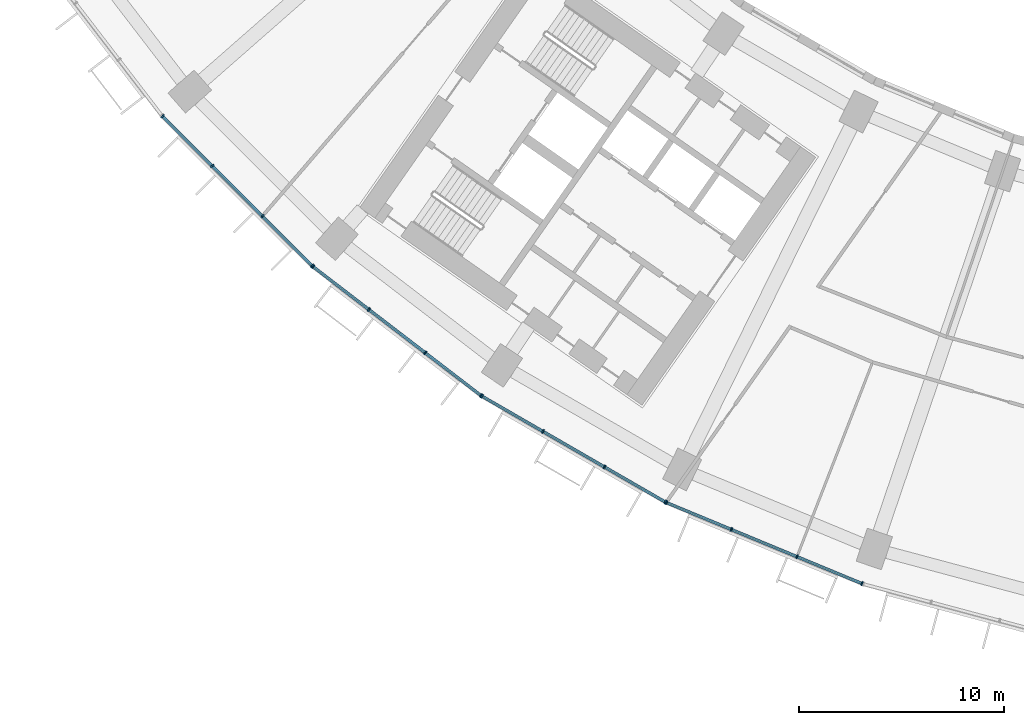
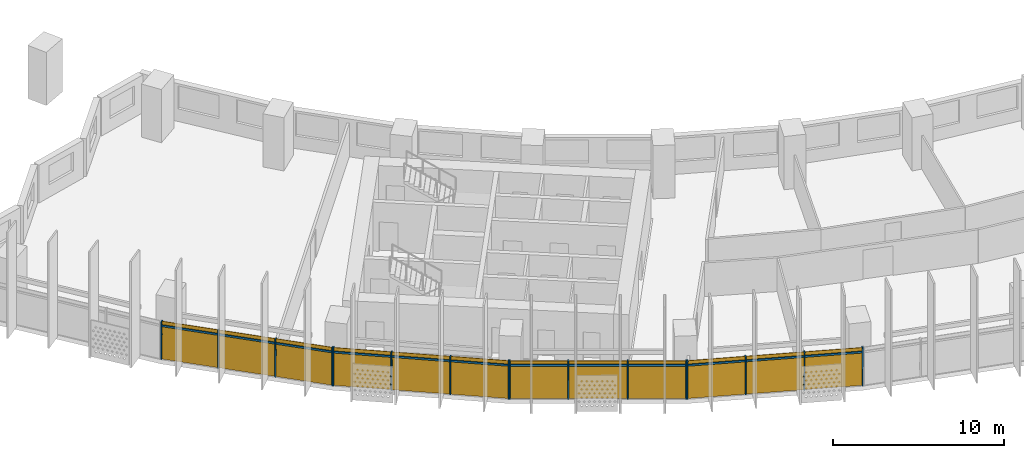
# One storey, part 19 of 32: 28 members, 4 curtain walls.
"""IFC4 building model written with IfcOpenShell, lengths in metres."""

from ifc_helpers import new_model, si_unit, direction, frame, origin, origin_2d, place, context, subcontext, project, spatial, rectangle, extrude, material, material_profile, profile_set, type_object, element, aggregate, save


model = new_model("IFC4")

# Units and contexts
model_context = context("Model", 3, precision=1e-05, world=origin(), true_north=direction((0.0, 1.0)))
body_context = subcontext(model_context, "Body", "Model", "MODEL_VIEW")
ifc_project = project(units=[si_unit("LENGTHUNIT", "METRE"), si_unit("AREAUNIT", "SQUARE_METRE"), si_unit("VOLUMEUNIT", "CUBIC_METRE"), si_unit("PLANEANGLEUNIT", "RADIAN"), si_unit("MASSUNIT", "GRAM", prefix="KILO")], contexts=[model_context])

# Member
ifc_material = material(Name="Aluminium 6063-T6 anodised", Category="aluminium")
ifc_material_profile_1 = material_profile(ifc_material, rectangle(XDim=0.199951171875, YDim=0.070068359375, at=origin_2d()))
ifc_profile_set_1 = profile_set([ifc_material_profile_1], Name="Aluminium 6063-T6 anodised")
member_type_1 = type_object("IfcMemberType", Name="Mullion 70 x 200 aluminium", PredefinedType="MULLION", material=ifc_profile_set_1)
site_placement = place(None, origin())
building_placement = place(site_placement, origin())
storey_placement = place(building_placement, frame((0.0, 0.0, 63.300048828125)))
member_1_placement = place(storey_placement, frame((-59.78857421875, -52.470947265625, 0.0), z_axis=(0.0, 0.0, 1.0), x_axis=(0.707106781187, 0.707106781187, 0.0)))
member_1 = element("IfcMember", 1, at=member_1_placement, type_object=member_type_1, Name="e-cw1-L12-out02/M00", PredefinedType="MULLION", context=body_context, shape_type="SweptSolid", body=[
    extrude(rectangle(XDim=0.199951171875, YDim=0.070068359375, at=origin_2d()), origin(), (0.0, 0.0, 1.0), 2.699951171875),
])

member_2_placement = place(storey_placement, frame((-57.357666015625, -54.90185546875, 0.0), z_axis=(0.0, 0.0, 1.0), x_axis=(0.707106781187, 0.707106781187, 0.0)))
member_2 = element("IfcMember", 2, at=member_2_placement, type_object=member_type_1, Name="e-cw1-L12-out02/M01", PredefinedType="MULLION", context=body_context, shape_type="SweptSolid", body=[
    extrude(rectangle(XDim=0.199951171875, YDim=0.070068359375, at=origin_2d()), origin(), (0.0, 0.0, 1.0), 2.699951171875),
])

member_3_placement = place(storey_placement, frame((-54.90185546875, -57.357666015625, 0.0), z_axis=(0.0, 0.0, 1.0), x_axis=(0.707106781187, 0.707106781187, 0.0)))
member_3 = element("IfcMember", 3, at=member_3_placement, type_object=member_type_1, Name="e-cw1-L12-out02/M02", PredefinedType="MULLION", context=body_context, shape_type="SweptSolid", body=[
    extrude(rectangle(XDim=0.199951171875, YDim=0.070068359375, at=origin_2d()), origin(), (0.0, 0.0, 1.0), 2.699951171875),
])

member_4_placement = place(storey_placement, frame((-52.470947265625, -59.78857421875, 0.0), z_axis=(0.0, 0.0, 1.0), x_axis=(0.707106781187, 0.707106781187, 0.0)))
member_4 = element("IfcMember", 4, at=member_4_placement, type_object=member_type_1, Name="e-cw1-L12-out02/M03", PredefinedType="MULLION", context=body_context, shape_type="SweptSolid", body=[
    extrude(rectangle(XDim=0.199951171875, YDim=0.070068359375, at=origin_2d()), origin(), (0.0, 0.0, 1.0), 2.699951171875),
])

member_5_placement = place(storey_placement, frame((-52.42822265625, -59.825927734375, 0.0), z_axis=(0.0, 0.0, 1.0), x_axis=(0.608761429009, 0.793353340291, 0.0)))
member_5 = element("IfcMember", 5, at=member_5_placement, type_object=member_type_1, Name="e-cw1-L12-out03/M00", PredefinedType="MULLION", context=body_context, shape_type="SweptSolid", body=[
    extrude(rectangle(XDim=0.199951171875, YDim=0.070068359375, at=origin_2d()), origin(), (0.0, 0.0, 1.0), 2.699951171875),
])

member_6_placement = place(storey_placement, frame((-49.70068359375, -61.9189453125, 0.0), z_axis=(0.0, 0.0, 1.0), x_axis=(0.608761429009, 0.793353340291, 0.0)))
member_6 = element("IfcMember", 6, at=member_6_placement, type_object=member_type_1, Name="e-cw1-L12-out03/M01", PredefinedType="MULLION", context=body_context, shape_type="SweptSolid", body=[
    extrude(rectangle(XDim=0.199951171875, YDim=0.070068359375, at=origin_2d()), origin(), (0.0, 0.0, 1.0), 2.699951171875),
])

member_7_placement = place(storey_placement, frame((-46.945556640625, -64.032958984375, 0.0), z_axis=(0.0, 0.0, 1.0), x_axis=(0.608761429009, 0.793353340291, 0.0)))
member_7 = element("IfcMember", 7, at=member_7_placement, type_object=member_type_1, Name="e-cw1-L12-out03/M02", PredefinedType="MULLION", context=body_context, shape_type="SweptSolid", body=[
    extrude(rectangle(XDim=0.199951171875, YDim=0.070068359375, at=origin_2d()), origin(), (0.0, 0.0, 1.0), 2.699951171875),
])

member_8_placement = place(storey_placement, frame((-44.218017578125, -66.1259765625, 0.0), z_axis=(0.0, 0.0, 1.0), x_axis=(0.608761429009, 0.793353340291, 0.0)))
member_8 = element("IfcMember", 8, at=member_8_placement, type_object=member_type_1, Name="e-cw1-L12-out03/M03", PredefinedType="MULLION", context=body_context, shape_type="SweptSolid", body=[
    extrude(rectangle(XDim=0.199951171875, YDim=0.070068359375, at=origin_2d()), origin(), (0.0, 0.0, 1.0), 2.699951171875),
])

member_9_placement = place(storey_placement, frame((-44.1708984375, -66.157470703125, 0.0), z_axis=(0.0, 0.0, 1.0), x_axis=(0.5, 0.866025403784, 0.0)))
member_9 = element("IfcMember", 9, at=member_9_placement, type_object=member_type_1, Name="e-cw1-L12-out04/M00", PredefinedType="MULLION", context=body_context, shape_type="SweptSolid", body=[
    extrude(rectangle(XDim=0.199951171875, YDim=0.070068359375, at=origin_2d()), origin(), (0.0, 0.0, 1.0), 2.699951171875),
])

member_10_placement = place(storey_placement, frame((-41.193603515625, -67.87646484375, 0.0), z_axis=(0.0, 0.0, 1.0), x_axis=(0.5, 0.866025403784, 0.0)))
member_10 = element("IfcMember", 10, at=member_10_placement, type_object=member_type_1, Name="e-cw1-L12-out04/M01", PredefinedType="MULLION", context=body_context, shape_type="SweptSolid", body=[
    extrude(rectangle(XDim=0.199951171875, YDim=0.070068359375, at=origin_2d()), origin(), (0.0, 0.0, 1.0), 2.699951171875),
])

member_11_placement = place(storey_placement, frame((-38.18603515625, -69.61279296875, 0.0), z_axis=(0.0, 0.0, 1.0), x_axis=(0.5, 0.866025403784, 0.0)))
member_11 = element("IfcMember", 11, at=member_11_placement, type_object=member_type_1, Name="e-cw1-L12-out04/M02", PredefinedType="MULLION", context=body_context, shape_type="SweptSolid", body=[
    extrude(rectangle(XDim=0.199951171875, YDim=0.070068359375, at=origin_2d()), origin(), (0.0, 0.0, 1.0), 2.699951171875),
])

member_12_placement = place(storey_placement, frame((-35.20849609375, -71.331787109375, 0.0), z_axis=(0.0, 0.0, 1.0), x_axis=(0.5, 0.866025403784, 0.0)))
member_12 = element("IfcMember", 12, at=member_12_placement, type_object=member_type_1, Name="e-cw1-L12-out04/M03", PredefinedType="MULLION", context=body_context, shape_type="SweptSolid", body=[
    extrude(rectangle(XDim=0.199951171875, YDim=0.070068359375, at=origin_2d()), origin(), (0.0, 0.0, 1.0), 2.699951171875),
])

member_13_placement = place(storey_placement, frame((-35.15771484375, -71.35693359375, 0.0), z_axis=(0.0, 0.0, 1.0), x_axis=(0.382683432365, 0.923879532511, 0.0)))
member_13 = element("IfcMember", 13, at=member_13_placement, type_object=member_type_1, Name="e-cw1-L12-out05/M00", PredefinedType="MULLION", context=body_context, shape_type="SweptSolid", body=[
    extrude(rectangle(XDim=0.199951171875, YDim=0.070068359375, at=origin_2d()), origin(), (0.0, 0.0, 1.0), 2.699951171875),
])

member_14_placement = place(storey_placement, frame((-31.9814453125, -72.672607421875, 0.0), z_axis=(0.0, 0.0, 1.0), x_axis=(0.382683432365, 0.923879532511, 0.0)))
member_14 = element("IfcMember", 14, at=member_14_placement, type_object=member_type_1, Name="e-cw1-L12-out05/M01", PredefinedType="MULLION", context=body_context, shape_type="SweptSolid", body=[
    extrude(rectangle(XDim=0.199951171875, YDim=0.070068359375, at=origin_2d()), origin(), (0.0, 0.0, 1.0), 2.699951171875),
])

member_15_placement = place(storey_placement, frame((-28.77294921875, -74.00146484375, 0.0), z_axis=(0.0, 0.0, 1.0), x_axis=(0.382683432365, 0.923879532511, 0.0)))
member_15 = element("IfcMember", 15, at=member_15_placement, type_object=member_type_1, Name="e-cw1-L12-out05/M02", PredefinedType="MULLION", context=body_context, shape_type="SweptSolid", body=[
    extrude(rectangle(XDim=0.199951171875, YDim=0.070068359375, at=origin_2d()), origin(), (0.0, 0.0, 1.0), 2.699951171875),
])

member_16_placement = place(storey_placement, frame((-25.5966796875, -75.317138671875, 0.0), z_axis=(0.0, 0.0, 1.0), x_axis=(0.382683432365, 0.923879532511, 0.0)))
member_16 = element("IfcMember", 16, at=member_16_placement, type_object=member_type_1, Name="e-cw1-L12-out05/M03", PredefinedType="MULLION", context=body_context, shape_type="SweptSolid", body=[
    extrude(rectangle(XDim=0.199951171875, YDim=0.070068359375, at=origin_2d()), origin(), (0.0, 0.0, 1.0), 2.699951171875),
])

ifc_material_profile_2 = material_profile(ifc_material, rectangle(XDim=0.139892578125, YDim=0.1201171875, at=origin_2d()))
ifc_profile_set_2 = profile_set([ifc_material_profile_2], Name="Aluminium 6063-T6 anodised")
member_type_2 = type_object("IfcMemberType", Name="Transom 120 x 140 aluminium", PredefinedType="USERDEFINED", material=ifc_profile_set_2)
member_17_placement = place(storey_placement, frame((-59.763916015625, -52.49560546875, 2.39990234375), z_axis=(0.707106781187, -0.707106781187, 0.0), x_axis=(0.707106781187, 0.707106781187, 0.0)))
member_17 = element("IfcMember", 17, at=member_17_placement, type_object=member_type_2, Name="e-cw1-L12-out02/T00", ObjectType="TRANSOM", PredefinedType="USERDEFINED", context=body_context, shape_type="SweptSolid", body=[
    extrude(rectangle(XDim=0.139892578125, YDim=0.1201171875, at=origin_2d()), origin(), (0.0, 0.0, 1.0), 3.3681640625),
])

member_18_placement = place(storey_placement, frame((-57.332763671875, -54.9267578125, 2.39990234375), z_axis=(0.707106781187, -0.707106781187, 0.0), x_axis=(0.707106781187, 0.707106781187, 0.0)))
member_18 = element("IfcMember", 18, at=member_18_placement, type_object=member_type_2, Name="e-cw1-L12-out02/T01", ObjectType="TRANSOM", PredefinedType="USERDEFINED", context=body_context, shape_type="SweptSolid", body=[
    extrude(rectangle(XDim=0.139892578125, YDim=0.1201171875, at=origin_2d()), origin(), (0.0, 0.0, 1.0), 3.402587890625),
])

member_19_placement = place(storey_placement, frame((-54.877197265625, -57.38232421875, 2.39990234375), z_axis=(0.707106781187, -0.707106781187, 0.0), x_axis=(0.707106781187, 0.707106781187, 0.0)))
member_19 = element("IfcMember", 19, at=member_19_placement, type_object=member_type_2, Name="e-cw1-L12-out02/T02", ObjectType="TRANSOM", PredefinedType="USERDEFINED", context=body_context, shape_type="SweptSolid", body=[
    extrude(rectangle(XDim=0.139892578125, YDim=0.1201171875, at=origin_2d()), origin(), (0.0, 0.0, 1.0), 3.3681640625),
])

member_20_placement = place(storey_placement, frame((-52.400390625, -59.847412109375, 2.39990234375), z_axis=(0.793375276742, -0.608732839803, 0.0), x_axis=(0.608732839803, 0.793375276742, 0.0)))
member_20 = element("IfcMember", 20, at=member_20_placement, type_object=member_type_2, Name="e-cw1-L12-out03/T00", ObjectType="TRANSOM", PredefinedType="USERDEFINED", context=body_context, shape_type="SweptSolid", body=[
    extrude(rectangle(XDim=0.139892578125, YDim=0.1201171875, at=origin_2d()), origin(), (0.0, 0.0, 1.0), 3.36767578125),
])

member_21_placement = place(storey_placement, frame((-49.673095703125, -61.940185546875, 2.39990234375), z_axis=(0.793356868815, -0.60875683052, 0.0), x_axis=(0.60875683052, 0.793356868815, 0.0)))
member_21 = element("IfcMember", 21, at=member_21_placement, type_object=member_type_2, Name="e-cw1-L12-out03/T01", ObjectType="TRANSOM", PredefinedType="USERDEFINED", context=body_context, shape_type="SweptSolid", body=[
    extrude(rectangle(XDim=0.139892578125, YDim=0.1201171875, at=origin_2d()), origin(), (0.0, 0.0, 1.0), 3.40283203125),
])

member_22_placement = place(storey_placement, frame((-46.917724609375, -64.054443359375, 2.39990234375), z_axis=(0.793375276742, -0.608732839803, 0.0), x_axis=(0.608732839803, 0.793375276742, 0.0)))
member_22 = element("IfcMember", 22, at=member_22_placement, type_object=member_type_2, Name="e-cw1-L12-out03/T02", ObjectType="TRANSOM", PredefinedType="USERDEFINED", context=body_context, shape_type="SweptSolid", body=[
    extrude(rectangle(XDim=0.139892578125, YDim=0.1201171875, at=origin_2d()), origin(), (0.0, 0.0, 1.0), 3.36767578125),
])

member_23_placement = place(storey_placement, frame((-44.140625, -66.175048828125, 2.39990234375), z_axis=(0.866044351828, -0.49996717959, 0.0), x_axis=(0.49996717959, 0.866044351828, 0.0)))
member_23 = element("IfcMember", 23, at=member_23_placement, type_object=member_type_2, Name="e-cw1-L12-out04/T00", ObjectType="TRANSOM", PredefinedType="USERDEFINED", context=body_context, shape_type="SweptSolid", body=[
    extrude(rectangle(XDim=0.139892578125, YDim=0.1201171875, at=origin_2d()), origin(), (0.0, 0.0, 1.0), 3.367919921875),
])

member_24_placement = place(storey_placement, frame((-41.163330078125, -67.893798828125, 2.39990234375), z_axis=(0.866000398227, -0.500043308395, 0.0), x_axis=(0.500043308395, 0.866000398227, 0.0)))
member_24 = element("IfcMember", 24, at=member_24_placement, type_object=member_type_2, Name="e-cw1-L12-out04/T01", ObjectType="TRANSOM", PredefinedType="USERDEFINED", context=body_context, shape_type="SweptSolid", body=[
    extrude(rectangle(XDim=0.139892578125, YDim=0.1201171875, at=origin_2d()), origin(), (0.0, 0.0, 1.0), 3.403076171875),
])

member_25_placement = place(storey_placement, frame((-38.155517578125, -69.63037109375, 2.39990234375), z_axis=(0.866026229868, -0.499998569178, 0.0), x_axis=(0.499998569178, 0.866026229868, 0.0)))
member_25 = element("IfcMember", 25, at=member_25_placement, type_object=member_type_2, Name="e-cw1-L12-out04/T02", ObjectType="TRANSOM", PredefinedType="USERDEFINED", context=body_context, shape_type="SweptSolid", body=[
    extrude(rectangle(XDim=0.139892578125, YDim=0.1201171875, at=origin_2d()), origin(), (0.0, 0.0, 1.0), 3.36767578125),
])

member_26_placement = place(storey_placement, frame((-35.125244140625, -71.370361328125, 2.39990234375), z_axis=(0.923872807855, -0.382699666719, 0.0), x_axis=(0.382699666719, 0.923872807855, 0.0)))
member_26 = element("IfcMember", 26, at=member_26_placement, type_object=member_type_2, Name="e-cw1-L12-out05/T00", ObjectType="TRANSOM", PredefinedType="USERDEFINED", context=body_context, shape_type="SweptSolid", body=[
    extrude(rectangle(XDim=0.139892578125, YDim=0.1201171875, at=origin_2d()), origin(), (0.0, 0.0, 1.0), 3.36767578125),
])

member_27_placement = place(storey_placement, frame((-31.94921875, -72.68603515625, 2.39990234375), z_axis=(0.92388567708, -0.382668597728, 0.0), x_axis=(0.382668597728, 0.92388567708, 0.0)))
member_27 = element("IfcMember", 27, at=member_27_placement, type_object=member_type_2, Name="e-cw1-L12-out05/T01", ObjectType="TRANSOM", PredefinedType="USERDEFINED", context=body_context, shape_type="SweptSolid", body=[
    extrude(rectangle(XDim=0.139892578125, YDim=0.1201171875, at=origin_2d()), origin(), (0.0, 0.0, 1.0), 3.403076171875),
])

member_28_placement = place(storey_placement, frame((-28.740478515625, -74.014892578125, 2.39990234375), z_axis=(0.923872807855, -0.382699666719, 0.0), x_axis=(0.382699666719, 0.923872807855, 0.0)))
member_28 = element("IfcMember", 28, at=member_28_placement, type_object=member_type_2, Name="e-cw1-L12-out05/T02", ObjectType="TRANSOM", PredefinedType="USERDEFINED", context=body_context, shape_type="SweptSolid", body=[
    extrude(rectangle(XDim=0.139892578125, YDim=0.1201171875, at=origin_2d()), origin(), (0.0, 0.0, 1.0), 3.36767578125),
])

# Site, building, storey
site = spatial("IfcSite", under=ifc_project, at=site_placement, CompositionType="ELEMENT")
building = spatial("IfcBuilding", under=site, at=building_placement, Name="Qamariyya Broadcast Tower", CompositionType="ELEMENT")
storey = spatial("IfcBuildingStorey", under=building, at=storey_placement, Name="L12", CompositionType="ELEMENT", Elevation=63.300048828125)

# Curtain wall
curtain_wall_type = type_object("IfcCurtainWallType", Name="Unitised curtain wall, anodised aluminium", PredefinedType="NOTDEFINED", material=ifc_material)
curtain_wall_1_placement = place(storey_placement, origin())
curtain_wall_1 = element("IfcCurtainWall", 29, at=curtain_wall_1_placement, inside=storey, type_object=curtain_wall_type, Name="e-cw1-L12-out02", PredefinedType="NOTDEFINED", context=body_context, shape_type="SweptSolid", body=[
    extrude(rectangle(XDim=3.367919921875, YDim=0.031982421875, at=origin_2d()), frame((-58.572998046875, -53.6865234375, 0.0), x_axis=(0.707106781187, -0.707106781187, 0.0)), (0.0, 0.0, 1.0), 2.340087890625),
    extrude(rectangle(XDim=3.367919921875, YDim=0.031982421875, at=origin_2d()), frame((-58.572998046875, -53.6865234375, 2.4599609375), x_axis=(0.707106781187, -0.707106781187, 0.0)), (0.0, 0.0, 1.0), 0.239990234375),
    extrude(rectangle(XDim=3.40283203125, YDim=0.031982421875, at=origin_2d()), frame((-56.1298828125, -56.1298828125, 0.0), x_axis=(0.707106781187, -0.707106781187, 0.0)), (0.0, 0.0, 1.0), 2.340087890625),
    extrude(rectangle(XDim=3.40283203125, YDim=0.031982421875, at=origin_2d()), frame((-56.1298828125, -56.1298828125, 2.4599609375), x_axis=(0.707106781187, -0.707106781187, 0.0)), (0.0, 0.0, 1.0), 0.239990234375),
    extrude(rectangle(XDim=3.367919921875, YDim=0.031982421875, at=origin_2d()), frame((-53.6865234375, -58.572998046875, 0.0), x_axis=(0.707106781187, -0.707106781187, 0.0)), (0.0, 0.0, 1.0), 2.340087890625),
    extrude(rectangle(XDim=3.367919921875, YDim=0.031982421875, at=origin_2d()), frame((-53.6865234375, -58.572998046875, 2.4599609375), x_axis=(0.707106781187, -0.707106781187, 0.0)), (0.0, 0.0, 1.0), 0.239990234375),
])

aggregate(curtain_wall_1, [member_1, member_2, member_3, member_4, member_17, member_18, member_19])

curtain_wall_2_placement = place(storey_placement, origin())
curtain_wall_2 = element("IfcCurtainWall", 30, at=curtain_wall_2_placement, inside=storey, type_object=curtain_wall_type, Name="e-cw1-L12-out03", PredefinedType="NOTDEFINED", context=body_context, shape_type="SweptSolid", body=[
    extrude(rectangle(XDim=3.367919921875, YDim=0.031982421875, at=origin_2d()), frame((-51.064453125, -60.872314453125, 0.0), x_axis=(0.79335775203, -0.608755679475, 0.0)), (0.0, 0.0, 1.0), 2.340087890625),
    extrude(rectangle(XDim=3.367919921875, YDim=0.031982421875, at=origin_2d()), frame((-51.064453125, -60.872314453125, 2.4599609375), x_axis=(0.79335775203, -0.608755679475, 0.0)), (0.0, 0.0, 1.0), 0.239990234375),
    extrude(rectangle(XDim=3.40283203125, YDim=0.031982421875, at=origin_2d()), frame((-48.3232421875, -62.97607421875, 0.0), x_axis=(0.79335775203, -0.608755679475, 0.0)), (0.0, 0.0, 1.0), 2.340087890625),
    extrude(rectangle(XDim=3.40283203125, YDim=0.031982421875, at=origin_2d()), frame((-48.3232421875, -62.97607421875, 2.4599609375), x_axis=(0.79335775203, -0.608755679475, 0.0)), (0.0, 0.0, 1.0), 0.239990234375),
    extrude(rectangle(XDim=3.367919921875, YDim=0.031982421875, at=origin_2d()), frame((-45.581787109375, -65.07958984375, 0.0), x_axis=(0.79335775203, -0.608755679475, 0.0)), (0.0, 0.0, 1.0), 2.340087890625),
    extrude(rectangle(XDim=3.367919921875, YDim=0.031982421875, at=origin_2d()), frame((-45.581787109375, -65.07958984375, 2.4599609375), x_axis=(0.79335775203, -0.608755679475, 0.0)), (0.0, 0.0, 1.0), 0.239990234375),
])

aggregate(curtain_wall_2, [member_5, member_6, member_7, member_8, member_20, member_21, member_22])

curtain_wall_3_placement = place(storey_placement, origin())
curtain_wall_3 = element("IfcCurtainWall", 31, at=curtain_wall_3_placement, inside=storey, type_object=curtain_wall_type, Name="e-cw1-L12-out04", PredefinedType="NOTDEFINED", context=body_context, shape_type="SweptSolid", body=[
    extrude(rectangle(XDim=3.367919921875, YDim=0.031982421875, at=origin_2d()), frame((-42.68212890625, -67.016845703125, 0.0), x_axis=(0.86602247392, -0.500005074639, 0.0)), (0.0, 0.0, 1.0), 2.340087890625),
    extrude(rectangle(XDim=3.367919921875, YDim=0.031982421875, at=origin_2d()), frame((-42.68212890625, -67.016845703125, 2.4599609375), x_axis=(0.86602247392, -0.500005074639, 0.0)), (0.0, 0.0, 1.0), 0.239990234375),
    extrude(rectangle(XDim=3.40283203125, YDim=0.031982421875, at=origin_2d()), frame((-39.689697265625, -68.74462890625, 0.0), x_axis=(0.86602247392, -0.500005074639, 0.0)), (0.0, 0.0, 1.0), 2.340087890625),
    extrude(rectangle(XDim=3.40283203125, YDim=0.031982421875, at=origin_2d()), frame((-39.689697265625, -68.74462890625, 2.4599609375), x_axis=(0.86602247392, -0.500005074639, 0.0)), (0.0, 0.0, 1.0), 0.239990234375),
    extrude(rectangle(XDim=3.367919921875, YDim=0.031982421875, at=origin_2d()), frame((-36.697265625, -70.472412109375, 0.0), x_axis=(0.86602247392, -0.500005074639, 0.0)), (0.0, 0.0, 1.0), 2.340087890625),
    extrude(rectangle(XDim=3.367919921875, YDim=0.031982421875, at=origin_2d()), frame((-36.697265625, -70.472412109375, 2.4599609375), x_axis=(0.86602247392, -0.500005074639, 0.0)), (0.0, 0.0, 1.0), 0.239990234375),
])

aggregate(curtain_wall_3, [member_9, member_10, member_11, member_12, member_23, member_24, member_25])

curtain_wall_4_placement = place(storey_placement, origin())
curtain_wall_4 = element("IfcCurtainWall", 32, at=curtain_wall_4_placement, inside=storey, type_object=curtain_wall_type, Name="e-cw1-L12-out05", PredefinedType="NOTDEFINED", context=body_context, shape_type="SweptSolid", body=[
    extrude(rectangle(XDim=3.367919921875, YDim=0.031982421875, at=origin_2d()), frame((-33.569580078125, -72.0146484375, 0.0), x_axis=(0.92387774222, -0.382687754482, 0.0)), (0.0, 0.0, 1.0), 2.340087890625),
    extrude(rectangle(XDim=3.367919921875, YDim=0.031982421875, at=origin_2d()), frame((-33.569580078125, -72.0146484375, 2.4599609375), x_axis=(0.92387774222, -0.382687754482, 0.0)), (0.0, 0.0, 1.0), 0.239990234375),
    extrude(rectangle(XDim=3.40283203125, YDim=0.031982421875, at=origin_2d()), frame((-30.377197265625, -73.3369140625, 0.0), x_axis=(0.92387774222, -0.382687754482, 0.0)), (0.0, 0.0, 1.0), 2.340087890625),
    extrude(rectangle(XDim=3.40283203125, YDim=0.031982421875, at=origin_2d()), frame((-30.377197265625, -73.3369140625, 2.4599609375), x_axis=(0.92387774222, -0.382687754482, 0.0)), (0.0, 0.0, 1.0), 0.239990234375),
    extrude(rectangle(XDim=3.367919921875, YDim=0.031982421875, at=origin_2d()), frame((-27.184814453125, -74.659423828125, 0.0), x_axis=(0.92387774222, -0.382687754482, 0.0)), (0.0, 0.0, 1.0), 2.340087890625),
    extrude(rectangle(XDim=3.367919921875, YDim=0.031982421875, at=origin_2d()), frame((-27.184814453125, -74.659423828125, 2.4599609375), x_axis=(0.92387774222, -0.382687754482, 0.0)), (0.0, 0.0, 1.0), 0.239990234375),
])

aggregate(curtain_wall_4, [member_13, member_14, member_15, member_16, member_26, member_27, member_28])

save(model, "model.ifc")
